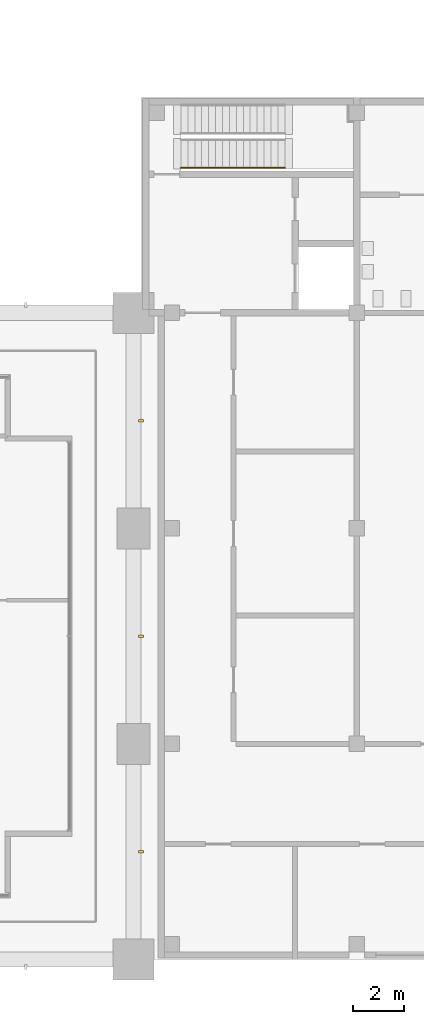
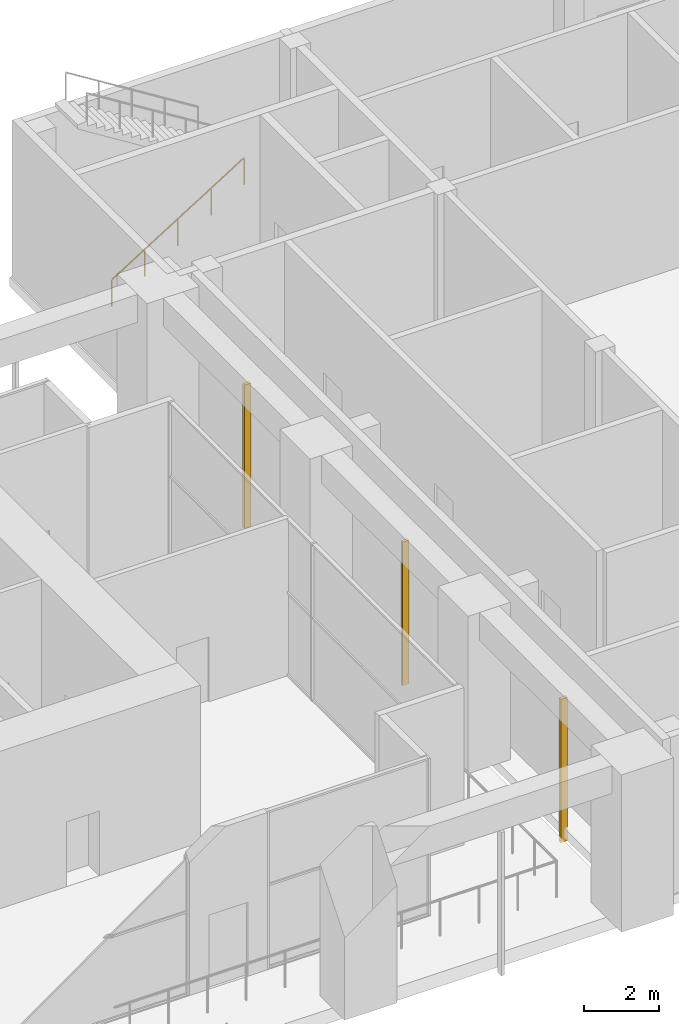
# One storey, part 31 of 33: 3 shading devices, 1 railing.
"""IFC4 building model written with IfcOpenShell, lengths in metres."""

from ifc_helpers import new_model, si_unit, direction, frame, origin, origin_2d, place, context, subcontext, project, spatial, rectangle, circle, extrude, material, material_profile, profile_set, type_object, element, save


model = new_model("IFC4")

# Units and contexts
model_context = context("Model", 3, precision=1e-05, world=origin(), true_north=direction((0.0, 1.0)))
body_context = subcontext(model_context, "Body", "Model", "MODEL_VIEW")
ifc_project = project(units=[si_unit("LENGTHUNIT", "METRE"), si_unit("AREAUNIT", "SQUARE_METRE"), si_unit("VOLUMEUNIT", "CUBIC_METRE"), si_unit("PLANEANGLEUNIT", "RADIAN"), si_unit("MASSUNIT", "GRAM", prefix="KILO")], contexts=[model_context])

# Site, building, storey
site_placement = place(None, origin())
site = spatial("IfcSite", under=ifc_project, at=site_placement, CompositionType="ELEMENT")
building_placement = place(site_placement, origin())
building = spatial("IfcBuilding", under=site, at=building_placement, Name="Vermilion Gate Residences", CompositionType="ELEMENT")
storey_placement = place(building_placement, frame((0.0, 0.0, 14.39990234375)))
storey = spatial("IfcBuildingStorey", under=building, at=storey_placement, Name="L02", CompositionType="ELEMENT", Elevation=14.39990234375)

# Railing
ifc_material_1 = material(Name="Steel", Category="steel")
railing_type = type_object("IfcRailingType", Name="STEEL HANDRAIL 900 (MARKET HALL)", PredefinedType="HANDRAIL", material=ifc_material_1)
railing_placement = place(storey_placement, frame((69.050048828125, 30.85009765625, 0.168701171875)))
element("IfcRailing", 1, at=railing_placement, inside=storey, type_object=railing_type, Name="Stair handrail STH1-02-1a", PredefinedType="HANDRAIL", context=body_context, shape_type="SweptSolid", body=[
    extrude(circle(Radius=0.0224609375, at=origin_2d()), frame((0.0, 0.0, 0.87744140625), z_axis=(0.847978201245, 0.0, 0.530031103063), x_axis=(0.0, 1.0, 0.0)), (0.0, 0.0, 1.0), 4.776123046875),
    extrude(circle(Radius=0.02001953125, at=origin_2d()), origin(), (0.0, 0.0, 1.0), 0.85498046875),
    extrude(circle(Radius=0.02001953125, at=origin_2d()), frame((1.012451171875, 0.0, 0.6328125)), (0.0, 0.0, 1.0), 0.85498046875),
    extrude(circle(Radius=0.02001953125, at=origin_2d()), frame((2.02490234375, 0.0, 1.265625)), (0.0, 0.0, 1.0), 0.85498046875),
    extrude(circle(Radius=0.02001953125, at=origin_2d()), frame((3.03759765625, 0.0, 1.898681640625)), (0.0, 0.0, 1.0), 0.85498046875),
    extrude(circle(Radius=0.02001953125, at=origin_2d()), frame((4.050048828125, 0.0, 2.531494140625)), (0.0, 0.0, 1.0), 0.85498046875),
])

# Shading devices
ifc_material_2 = material(Name="Extruded terracotta", Category="masonry")
ifc_material_profile = material_profile(ifc_material_2, rectangle(XDim=0.199951171875, YDim=0.10009765625, at=origin_2d()), Name="BAGUETTE 100 X 200")
ifc_profile_set = profile_set([ifc_material_profile], Name="Extruded terracotta")
shading_device_type = type_object("IfcShadingDeviceType", Name="TERRACOTTA BAGUETTE 100 X 200", PredefinedType="JALOUSIE", material=ifc_profile_set)
for number, where, z_axis, x_axis, name in (
    (2, (67.5, 4.199951171875, -0.449951171875), (0.0, 0.0, 1.0), (-1.0, 0.0, 0.0), "BAGUETTE"),
    (3, (67.5, 12.60009765625, -0.449951171875), (0.0, 0.0, 1.0), (-1.0, 0.0, 0.0), "BAGUETTE"),
    (4, (67.5, 21.0, -0.449951171875), (0.0, 0.0, 1.0), (-1.0, 0.0, 0.0), "BAGUETTE"),
):
    element("IfcShadingDevice", number, at=place(storey_placement, frame(where, z_axis=z_axis, x_axis=x_axis)), inside=storey, type_object=shading_device_type, Name=name, PredefinedType="JALOUSIE", context=body_context, shape_type="SweptSolid", body=[
        extrude(rectangle(XDim=0.199951171875, YDim=0.10009765625, at=origin_2d()), origin(), (0.0, 0.0, 1.0), 4.650146484375),
    ])

save(model, "model.ifc")
